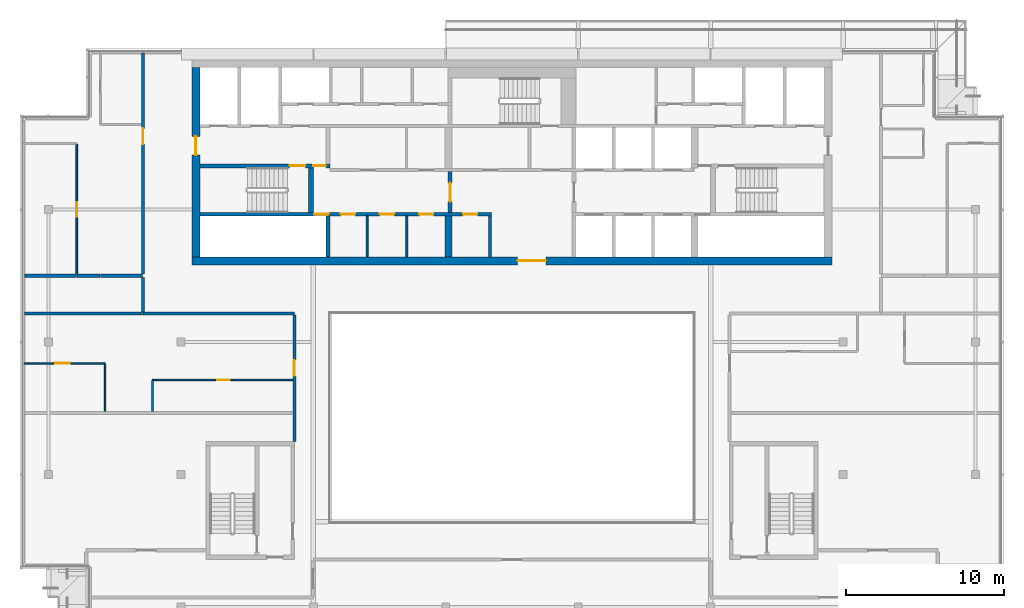
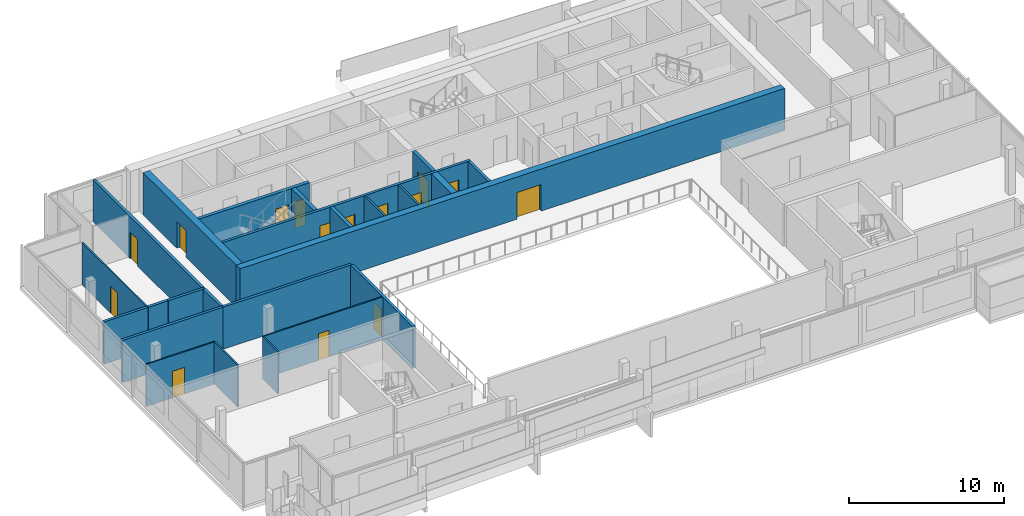
# One storey, part 12 of 22: 24 walls, 15 doors, 15 openings.
"""IFC4 building model written with IfcOpenShell, lengths in metres."""

from ifc_helpers import new_model, si_unit, direction, frame, frame_2d, origin, place, context, subcontext, project, spatial, rectangle, extrude, material, layer, layer_set, type_object, element, fill, save


model = new_model("IFC4")

# Units and contexts
model_context = context("Model", 3, precision=1e-05, world=origin(), true_north=direction((0.0, 1.0)))
body_context = subcontext(model_context, "Body", "Model", "MODEL_VIEW")
ifc_project = project(units=[si_unit("LENGTHUNIT", "METRE"), si_unit("AREAUNIT", "SQUARE_METRE"), si_unit("VOLUMEUNIT", "CUBIC_METRE"), si_unit("PLANEANGLEUNIT", "RADIAN"), si_unit("MASSUNIT", "GRAM", prefix="KILO")], contexts=[model_context])

# Site, building, storey
site_placement = place(None, origin())
site = spatial("IfcSite", under=ifc_project, at=site_placement, CompositionType="ELEMENT")
building_placement = place(site_placement, origin())
building = spatial("IfcBuilding", under=site, at=building_placement, Name="Saffron Gate Tower", CompositionType="ELEMENT")
storey_placement = place(building_placement, frame((0.0, 0.0, 295.949951171875)))
storey = spatial("IfcBuildingStorey", under=building, at=storey_placement, Name="L72", CompositionType="ELEMENT", Elevation=295.949951171875)

# Wall
ifc_material_1 = material(Name="Gypsum board partition on steel studs", Category="steel")
ifc_layer_1 = layer(ifc_material_1, 0.199951171875)
ifc_layer_set_1 = layer_set([ifc_layer_1], Name="CW10 Core partition 200")
wall_type_1 = type_object("IfcWallType", Name="CW10 Core partition 200", PredefinedType="PARTITIONING", material=ifc_layer_set_1)
wall_1_placement = place(storey_placement, frame((86.199951171875, 62.39990234375, 0.0), z_axis=(0.0, 0.0, 1.0), x_axis=(0.0, 1.0, 0.0)))
element("IfcWall", 1, at=wall_1_placement, inside=storey, type_object=wall_type_1, Name="Wall CW10-L72-9", PredefinedType="PARTITIONING", context=body_context, shape_type="SweptSolid", body=[
    extrude(rectangle(XDim=2.60009765625, YDim=0.199951171875, at=frame_2d((1.300048828125, 0.0))), origin(), (0.0, 0.0, 1.0), 3.320068359375),
])

# Wall, opening, door
ifc_material_2 = material(Name="Concrete C50", Category="concrete")
ifc_layer_2 = layer(ifc_material_2, 0.5)
ifc_layer_set_2 = layer_set([ifc_layer_2], Name="CW22 RC core wall 500 C50")
wall_type_2 = type_object("IfcWallType", Name="CW22 RC core wall 500 C50", PredefinedType="SOLIDWALL", material=ifc_layer_set_2)
wall_2_placement = place(storey_placement, frame((67.300048828125, 62.14990234375, 0.0), z_axis=(0.0, 0.0, 1.0), x_axis=(1.0, 0.0, 0.0)))
wall_2 = element("IfcWall", 2, at=wall_2_placement, inside=storey, type_object=wall_type_2, Name="Wall CW22-L72-1", PredefinedType="SOLIDWALL", context=body_context, shape_type="SweptSolid", body=[
    extrude(rectangle(XDim=40.599853515625, YDim=0.5, at=frame_2d((20.2998046875, 0.0))), origin(), (0.0, 0.0, 1.0), 3.320068359375),
])
opening_1_placement = place(wall_2_placement, frame((20.64990234375, 0.0, 0.0)))
opening_1 = element("IfcOpeningElement", 3, at=opening_1_placement, cuts=wall_2, Name="Opening CR-09", PredefinedType="OPENING", context=body_context, shape_type="SweptSolid", body=[
    extrude(rectangle(XDim=1.800048828125, YDim=2.10009765625, at=frame_2d((0.89990234375, 1.050048828125))), frame((0.0, 0.260009765625, 0.0), z_axis=(0.0, -1.0, 0.0), x_axis=(1.0, 0.0, 0.0)), (0.0, 0.0, 1.0), 0.52001953125),
])
ifc_material_3 = material(Name="Steel fire door set", Category="steel")
door_type_1 = type_object("IfcDoorType", Name="CD1 Core entrance door 1800x2100 EI 120", OperationType="NOTDEFINED", PredefinedType="DOOR", material=ifc_material_3)
door_1_placement = place(opening_1_placement, origin())
door_1 = element("IfcDoor", 4, at=door_1_placement, inside=storey, type_object=door_type_1, Name="DOOR CR-09", OperationType="DOUBLE_DOOR_SINGLE_SWING", OverallHeight=2.10009765625, OverallWidth=1.800048828125, PredefinedType="DOOR", context=body_context, shape_type="SweptSolid", body=[
    extrude(rectangle(XDim=1.800048828125, YDim=2.10009765625, at=frame_2d((0.89990234375, 1.050048828125))), frame((0.0, 0.02490234375, 0.0), z_axis=(0.0, -1.0, 0.0), x_axis=(1.0, 0.0, 0.0)), (0.0, 0.0, 1.0), 0.050048828125),
])
fill(opening_1, door_1)

wall_3_placement = place(storey_placement, frame((67.550048828125, 62.39990234375, 0.0), z_axis=(0.0, 0.0, 1.0), x_axis=(0.0, 1.0, 0.0)))
wall_3 = element("IfcWall", 5, at=wall_3_placement, inside=storey, type_object=wall_type_2, Name="Wall CW22-L72-3", PredefinedType="SOLIDWALL", context=body_context, shape_type="SweptSolid", body=[
    extrude(rectangle(XDim=12.0, YDim=0.5, at=frame_2d((6.0, 0.0))), origin(), (0.0, 0.0, 1.0), 3.320068359375),
])
opening_2_placement = place(wall_3_placement, frame((6.449951171875, 0.0, 0.0)))
opening_2 = element("IfcOpeningElement", 6, at=opening_2_placement, cuts=wall_3, Name="Opening CR-10", PredefinedType="OPENING", context=body_context, shape_type="SweptSolid", body=[
    extrude(rectangle(XDim=1.199951171875, YDim=2.10009765625, at=frame_2d((0.60009765625, 1.050048828125))), frame((0.0, 0.260009765625, 0.0), z_axis=(0.0, -1.0, 0.0), x_axis=(1.0, 0.0, 0.0)), (0.0, 0.0, 1.0), 0.52001953125),
])
door_type_2 = type_object("IfcDoorType", Name="CD7 Core entrance door 1200x2100 EI 120", OperationType="NOTDEFINED", PredefinedType="DOOR", material=ifc_material_3)
door_2_placement = place(opening_2_placement, origin())
door_2 = element("IfcDoor", 7, at=door_2_placement, inside=storey, type_object=door_type_2, Name="DOOR CR-10", OperationType="SINGLE_SWING_LEFT", OverallHeight=2.10009765625, OverallWidth=1.199951171875, PredefinedType="DOOR", context=body_context, shape_type="SweptSolid", body=[
    extrude(rectangle(XDim=1.199951171875, YDim=2.10009765625, at=frame_2d((0.60009765625, 1.050048828125))), frame((0.0, 0.02490234375, 0.0), z_axis=(0.0, -1.0, 0.0), x_axis=(1.0, 0.0, 0.0)), (0.0, 0.0, 1.0), 0.050048828125),
])
fill(opening_2, door_2)

# Wall
ifc_layer_3 = layer(ifc_material_2, 0.25)
ifc_layer_set_3 = layer_set([ifc_layer_3], Name="CW23 RC core wall 250 C50")
wall_type_3 = type_object("IfcWallType", Name="CW23 RC core wall 250 C50", PredefinedType="SOLIDWALL", material=ifc_layer_set_3)
wall_4_placement = place(storey_placement, frame((75.925048828125, 62.39990234375, 0.0), z_axis=(0.0, 0.0, 1.0), x_axis=(0.0, 1.0, 0.0)))
element("IfcWall", 8, at=wall_4_placement, inside=storey, type_object=wall_type_3, Name="Wall CW23-L72-5", PredefinedType="SOLIDWALL", context=body_context, shape_type="SweptSolid", body=[
    extrude(rectangle(XDim=2.60009765625, YDim=0.25, at=frame_2d((1.300048828125, 0.0))), origin(), (0.0, 0.0, 1.0), 3.320068359375),
])

# Wall, opening, door
wall_5_placement = place(storey_placement, frame((83.675048828125, 65.199951171875, 0.0), z_axis=(0.0, 0.0, 1.0), x_axis=(0.0, 1.0, 0.0)))
wall_5 = element("IfcWall", 9, at=wall_5_placement, inside=storey, type_object=wall_type_3, Name="Wall CW23-L72-17", PredefinedType="SOLIDWALL", context=body_context, shape_type="SweptSolid", body=[
    extrude(rectangle(XDim=2.60009765625, YDim=0.25, at=frame_2d((1.300048828125, 0.0))), origin(), (0.0, 0.0, 1.0), 3.320068359375),
])
opening_3_placement = place(wall_5_placement, frame((0.699951171875, 0.0, 0.0)))
opening_3 = element("IfcOpeningElement", 10, at=opening_3_placement, cuts=wall_5, Name="Opening CR-07", PredefinedType="OPENING", context=body_context, shape_type="SweptSolid", body=[
    extrude(rectangle(XDim=1.199951171875, YDim=2.10009765625, at=frame_2d((0.60009765625, 1.050048828125))), frame((0.0, 0.135009765625, 0.0), z_axis=(0.0, -1.0, 0.0), x_axis=(1.0, 0.0, 0.0)), (0.0, 0.0, 1.0), 0.27001953125),
])
door_type_3 = type_object("IfcDoorType", Name="CD3 Lobby door 1200x2100 EI 120", OperationType="NOTDEFINED", PredefinedType="DOOR", material=ifc_material_3)
door_3_placement = place(opening_3_placement, origin())
door_3 = element("IfcDoor", 11, at=door_3_placement, inside=storey, type_object=door_type_3, Name="DOOR CR-07", OperationType="SINGLE_SWING_RIGHT", OverallHeight=2.10009765625, OverallWidth=1.199951171875, PredefinedType="DOOR", context=body_context, shape_type="SweptSolid", body=[
    extrude(rectangle(XDim=1.199951171875, YDim=2.10009765625, at=frame_2d((0.60009765625, 1.050048828125))), frame((0.0, 0.02490234375, 0.0), z_axis=(0.0, -1.0, 0.0), x_axis=(1.0, 0.0, 0.0)), (0.0, 0.0, 1.0), 0.050048828125),
])
fill(opening_3, door_3)

# Wall, openings, doors
wall_6_placement = place(storey_placement, frame((67.800048828125, 68.175048828125, 0.0), z_axis=(0.0, 0.0, 1.0), x_axis=(1.0, 0.0, 0.0)))
wall_6 = element("IfcWall", 12, at=wall_6_placement, inside=storey, type_object=wall_type_3, Name="Wall CW23-L72-28", PredefinedType="SOLIDWALL", context=body_context, shape_type="SweptSolid", body=[
    extrude(rectangle(XDim=8.25, YDim=0.25, at=frame_2d((4.125, 0.0))), origin(), (0.0, 0.0, 1.0), 3.320068359375),
])
opening_4_placement = place(wall_6_placement, frame((5.699951171875, 0.0, 0.0)))
opening_4 = element("IfcOpeningElement", 13, at=opening_4_placement, cuts=wall_6, Name="Opening CR-15", PredefinedType="OPENING", context=body_context, shape_type="SweptSolid", body=[
    extrude(rectangle(XDim=1.0, YDim=2.10009765625, at=frame_2d((0.5, 1.050048828125))), frame((0.0, 0.135009765625, 0.0), z_axis=(0.0, -1.0, 0.0), x_axis=(1.0, 0.0, 0.0)), (0.0, 0.0, 1.0), 0.27001953125),
])
opening_5_placement = place(wall_6_placement, frame((7.199951171875, 0.0, 0.0)))
opening_5 = element("IfcOpeningElement", 14, at=opening_5_placement, cuts=wall_6, Name="Opening CR-06", PredefinedType="OPENING", context=body_context, shape_type="SweptSolid", body=[
    extrude(rectangle(XDim=0.800048828125, YDim=2.10009765625, at=frame_2d((0.39990234375, 1.050048828125))), frame((0.0, 0.135009765625, 0.0), z_axis=(0.0, -1.0, 0.0), x_axis=(1.0, 0.0, 0.0)), (0.0, 0.0, 1.0), 0.27001953125),
])
door_type_4 = type_object("IfcDoorType", Name="CD5 Stair door 1000x2100 EI 120", OperationType="NOTDEFINED", PredefinedType="DOOR", material=ifc_material_3)
door_4_placement = place(opening_4_placement, origin())
door_4 = element("IfcDoor", 15, at=door_4_placement, inside=storey, type_object=door_type_4, Name="DOOR CR-15", OperationType="SINGLE_SWING_RIGHT", OverallHeight=2.10009765625, OverallWidth=1.0, PredefinedType="DOOR", context=body_context, shape_type="SweptSolid", body=[
    extrude(rectangle(XDim=1.0, YDim=2.10009765625, at=frame_2d((0.5, 1.050048828125))), frame((0.0, 0.02490234375, 0.0), z_axis=(0.0, -1.0, 0.0), x_axis=(1.0, 0.0, 0.0)), (0.0, 0.0, 1.0), 0.050048828125),
])
fill(opening_4, door_4)
door_type_5 = type_object("IfcDoorType", Name="CD6 Lobby door 800x2100 EI 120", OperationType="NOTDEFINED", PredefinedType="DOOR", material=ifc_material_3)
door_5_placement = place(opening_5_placement, origin())
door_5 = element("IfcDoor", 16, at=door_5_placement, inside=storey, type_object=door_type_5, Name="DOOR CR-06", OperationType="SINGLE_SWING_LEFT", OverallHeight=2.10009765625, OverallWidth=0.800048828125, PredefinedType="DOOR", context=body_context, shape_type="SweptSolid", body=[
    extrude(rectangle(XDim=0.800048828125, YDim=2.10009765625, at=frame_2d((0.39990234375, 1.050048828125))), frame((0.0, 0.02490234375, 0.0), z_axis=(0.0, -1.0, 0.0), x_axis=(1.0, 0.0, 0.0)), (0.0, 0.0, 1.0), 0.050048828125),
])
fill(opening_5, door_5)

# Wall
ifc_layer_4 = layer(ifc_material_2, 0.449951171875)
ifc_layer_set_4 = layer_set([ifc_layer_4], Name="CW24 RC core wall 450 C50")
wall_type_4 = type_object("IfcWallType", Name="CW24 RC core wall 450 C50", PredefinedType="SOLIDWALL", material=ifc_layer_set_4)
wall_7_placement = place(storey_placement, frame((83.574951171875, 62.39990234375, 0.0), z_axis=(0.0, 0.0, 1.0), x_axis=(0.0, 1.0, 0.0)))
element("IfcWall", 17, at=wall_7_placement, inside=storey, type_object=wall_type_4, Name="Wall CW24-L72-8", PredefinedType="SOLIDWALL", context=body_context, shape_type="SweptSolid", body=[
    extrude(rectangle(XDim=2.60009765625, YDim=0.449951171875, at=frame_2d((1.300048828125, 0.0))), origin(), (0.0, 0.0, 1.0), 3.320068359375),
])

# Wall, openings, doors
ifc_layer_5 = layer(ifc_material_2, 0.199951171875)
ifc_layer_set_5 = layer_set([ifc_layer_5], Name="CW25 RC core wall 200 C50")
wall_type_5 = type_object("IfcWallType", Name="CW25 RC core wall 200 C50", PredefinedType="SOLIDWALL", material=ifc_layer_set_5)
wall_8_placement = place(storey_placement, frame((67.800048828125, 65.10009765625, 0.0), z_axis=(0.0, 0.0, 1.0), x_axis=(1.0, 0.0, 0.0)))
wall_8 = element("IfcWall", 18, at=wall_8_placement, inside=storey, type_object=wall_type_5, Name="Wall CW25-L72-14", PredefinedType="SOLIDWALL", context=body_context, shape_type="SweptSolid", body=[
    extrude(rectangle(XDim=18.5, YDim=0.199951171875, at=frame_2d((9.25, 0.0))), origin(), (0.0, 0.0, 1.0), 3.320068359375),
])
opening_6_placement = place(wall_8_placement, frame((7.27001953125, 0.0, 0.0)))
opening_6 = element("IfcOpeningElement", 19, at=opening_6_placement, cuts=wall_8, Name="Opening CR-49", PredefinedType="OPENING", context=body_context, shape_type="SweptSolid", body=[
    extrude(rectangle(XDim=0.89990234375, YDim=2.10009765625, at=frame_2d((0.449951171875, 1.050048828125))), frame((0.0, 0.10986328125, 0.0), z_axis=(0.0, -1.0, 0.0), x_axis=(1.0, 0.0, 0.0)), (0.0, 0.0, 1.0), 0.219970703125),
])
opening_7_placement = place(wall_8_placement, frame((8.949951171875, 0.0, 0.0)))
opening_7 = element("IfcOpeningElement", 20, at=opening_7_placement, cuts=wall_8, Name="Opening CR-64", PredefinedType="OPENING", context=body_context, shape_type="SweptSolid", body=[
    extrude(rectangle(XDim=0.89990234375, YDim=2.10009765625, at=frame_2d((0.449951171875, 1.050048828125))), frame((0.0, 0.10986328125, 0.0), z_axis=(0.0, -1.0, 0.0), x_axis=(1.0, 0.0, 0.0)), (0.0, 0.0, 1.0), 0.219970703125),
])
opening_8_placement = place(wall_8_placement, frame((11.419921875, 0.0, 0.0)))
opening_8 = element("IfcOpeningElement", 21, at=opening_8_placement, cuts=wall_8, Name="Opening CR-65", PredefinedType="OPENING", context=body_context, shape_type="SweptSolid", body=[
    extrude(rectangle(XDim=0.89990234375, YDim=2.10009765625, at=frame_2d((0.449951171875, 1.050048828125))), frame((0.0, 0.10986328125, 0.0), z_axis=(0.0, -1.0, 0.0), x_axis=(1.0, 0.0, 0.0)), (0.0, 0.0, 1.0), 0.219970703125),
])
opening_9_placement = place(wall_8_placement, frame((13.919921875, 0.0, 0.0)))
opening_9 = element("IfcOpeningElement", 22, at=opening_9_placement, cuts=wall_8, Name="Opening CR-66", PredefinedType="OPENING", context=body_context, shape_type="SweptSolid", body=[
    extrude(rectangle(XDim=0.89990234375, YDim=2.10009765625, at=frame_2d((0.449951171875, 1.050048828125))), frame((0.0, 0.10986328125, 0.0), z_axis=(0.0, -1.0, 0.0), x_axis=(1.0, 0.0, 0.0)), (0.0, 0.0, 1.0), 0.219970703125),
])
opening_10_placement = place(wall_8_placement, frame((16.699951171875, 0.0, 0.0)))
opening_10 = element("IfcOpeningElement", 23, at=opening_10_placement, cuts=wall_8, Name="Opening CR-69", PredefinedType="OPENING", context=body_context, shape_type="SweptSolid", body=[
    extrude(rectangle(XDim=0.89990234375, YDim=2.10009765625, at=frame_2d((0.449951171875, 1.050048828125))), frame((0.0, 0.10986328125, 0.0), z_axis=(0.0, -1.0, 0.0), x_axis=(1.0, 0.0, 0.0)), (0.0, 0.0, 1.0), 0.219970703125),
])
door_type_6 = type_object("IfcDoorType", Name="CD2 Riser door 900x2100 EI 60", OperationType="NOTDEFINED", PredefinedType="DOOR", material=ifc_material_3)
door_6_placement = place(opening_6_placement, origin())
door_6 = element("IfcDoor", 24, at=door_6_placement, inside=storey, type_object=door_type_6, Name="DOOR CR-49", OperationType="SINGLE_SWING_LEFT", OverallHeight=2.10009765625, OverallWidth=0.89990234375, PredefinedType="DOOR", context=body_context, shape_type="SweptSolid", body=[
    extrude(rectangle(XDim=0.89990234375, YDim=2.10009765625, at=frame_2d((0.449951171875, 1.050048828125))), frame((0.0, 0.02490234375, 0.0), z_axis=(0.0, -1.0, 0.0), x_axis=(1.0, 0.0, 0.0)), (0.0, 0.0, 1.0), 0.050048828125),
])
fill(opening_6, door_6)
door_type_7 = type_object("IfcDoorType", Name="CD9 Room door 900x2100 EI 60", OperationType="NOTDEFINED", PredefinedType="DOOR", material=ifc_material_3)
door_7_placement = place(opening_7_placement, origin())
door_7 = element("IfcDoor", 25, at=door_7_placement, inside=storey, type_object=door_type_7, Name="DOOR CR-64", OperationType="SINGLE_SWING_RIGHT", OverallHeight=2.10009765625, OverallWidth=0.89990234375, PredefinedType="DOOR", context=body_context, shape_type="SweptSolid", body=[
    extrude(rectangle(XDim=0.89990234375, YDim=2.10009765625, at=frame_2d((0.449951171875, 1.050048828125))), frame((0.0, 0.02490234375, 0.0), z_axis=(0.0, -1.0, 0.0), x_axis=(1.0, 0.0, 0.0)), (0.0, 0.0, 1.0), 0.050048828125),
])
fill(opening_7, door_7)
door_8_placement = place(opening_8_placement, origin())
door_8 = element("IfcDoor", 26, at=door_8_placement, inside=storey, type_object=door_type_7, Name="DOOR CR-65", OperationType="SINGLE_SWING_RIGHT", OverallHeight=2.10009765625, OverallWidth=0.89990234375, PredefinedType="DOOR", context=body_context, shape_type="SweptSolid", body=[
    extrude(rectangle(XDim=0.89990234375, YDim=2.10009765625, at=frame_2d((0.449951171875, 1.050048828125))), frame((0.0, 0.02490234375, 0.0), z_axis=(0.0, -1.0, 0.0), x_axis=(1.0, 0.0, 0.0)), (0.0, 0.0, 1.0), 0.050048828125),
])
fill(opening_8, door_8)
door_9_placement = place(opening_9_placement, origin())
door_9 = element("IfcDoor", 27, at=door_9_placement, inside=storey, type_object=door_type_7, Name="DOOR CR-66", OperationType="SINGLE_SWING_RIGHT", OverallHeight=2.10009765625, OverallWidth=0.89990234375, PredefinedType="DOOR", context=body_context, shape_type="SweptSolid", body=[
    extrude(rectangle(XDim=0.89990234375, YDim=2.10009765625, at=frame_2d((0.449951171875, 1.050048828125))), frame((0.0, 0.02490234375, 0.0), z_axis=(0.0, -1.0, 0.0), x_axis=(1.0, 0.0, 0.0)), (0.0, 0.0, 1.0), 0.050048828125),
])
fill(opening_9, door_9)
door_10_placement = place(opening_10_placement, origin())
door_10 = element("IfcDoor", 28, at=door_10_placement, inside=storey, type_object=door_type_7, Name="DOOR CR-69", OperationType="SINGLE_SWING_RIGHT", OverallHeight=2.10009765625, OverallWidth=0.89990234375, PredefinedType="DOOR", context=body_context, shape_type="SweptSolid", body=[
    extrude(rectangle(XDim=0.89990234375, YDim=2.10009765625, at=frame_2d((0.449951171875, 1.050048828125))), frame((0.0, 0.02490234375, 0.0), z_axis=(0.0, -1.0, 0.0), x_axis=(1.0, 0.0, 0.0)), (0.0, 0.0, 1.0), 0.050048828125),
])
fill(opening_10, door_10)

# Walls
ifc_layer_6 = layer(ifc_material_2, 0.300048828125)
ifc_layer_set_6 = layer_set([ifc_layer_6], Name="CW26 RC core wall 300 C50")
wall_type_6 = type_object("IfcWallType", Name="CW26 RC core wall 300 C50", PredefinedType="SOLIDWALL", material=ifc_layer_set_6)
wall_9_placement = place(storey_placement, frame((74.85009765625, 65.199951171875, 0.0), z_axis=(0.0, 0.0, 1.0), x_axis=(0.0, 1.0, 0.0)))
element("IfcWall", 29, at=wall_9_placement, inside=storey, type_object=wall_type_6, Name="Wall CW26-L72-16", PredefinedType="SOLIDWALL", context=body_context, shape_type="SweptSolid", body=[
    extrude(rectangle(XDim=2.85009765625, YDim=0.300048828125, at=frame_2d((1.425048828125, 0.0))), origin(), (0.0, 0.0, 1.0), 3.320068359375),
])
ifc_layer_7 = layer(ifc_material_1, 0.1201171875)
ifc_layer_set_7 = layer_set([ifc_layer_7], Name="CW8 Core partition 120")
wall_type_7 = type_object("IfcWallType", Name="CW8 Core partition 120", PredefinedType="PARTITIONING", material=ifc_layer_set_7)
for number, where, z_axis, x_axis, name in (
    (30, (78.409912109375, 62.39990234375, 0.0), (0.0, 0.0, 1.0), (0.0, 1.0, 0.0), "Wall CW8-L72-6"),
    (31, (80.929931640625, 62.39990234375, 0.0), (0.0, 0.0, 1.0), (0.0, 1.0, 0.0), "Wall CW8-L72-7"),
):
    element("IfcWall", number, at=place(storey_placement, frame(where, z_axis=z_axis, x_axis=x_axis)), inside=storey, type_object=wall_type_7, Name=name, PredefinedType="PARTITIONING", context=body_context, shape_type="SweptSolid", body=[
        extrude(rectangle(XDim=2.60009765625, YDim=0.1201171875, at=frame_2d((1.300048828125, 0.0))), origin(), (0.0, 0.0, 1.0), 3.320068359375),
    ])

# Wall, opening, door
ifc_material_4 = material(Name="Plasterboard on steel studs", Category="steel")
ifc_layer_8 = layer(ifc_material_4, 0.10009765625)
ifc_layer_set_8 = layer_set([ifc_layer_8], Name="PW1 Partition 100")
wall_type_8 = type_object("IfcWallType", Name="PW1 Partition 100", PredefinedType="PARTITIONING", material=ifc_layer_set_8)
wall_10_placement = place(storey_placement, frame((73.699951171875, 54.60009765625, 0.0), z_axis=(0.0, 0.0, 1.0), x_axis=(-1.0, 0.0, 0.0)))
wall_10 = element("IfcWall", 32, at=wall_10_placement, inside=storey, type_object=wall_type_8, Name="Partition E5-8", PredefinedType="PARTITIONING", context=body_context, shape_type="SweptSolid", body=[
    extrude(rectangle(XDim=8.89990234375, YDim=0.10009765625, at=frame_2d((4.449951171875, 0.0))), origin(), (0.0, 0.0, 1.0), 3.320068359375),
])
opening_11_placement = place(wall_10_placement, frame((4.0, 0.0, 0.0)))
opening_11 = element("IfcOpeningElement", 33, at=opening_11_placement, cuts=wall_10, Name="Opening E5-10", PredefinedType="OPENING", context=body_context, shape_type="SweptSolid", body=[
    extrude(rectangle(XDim=0.800048828125, YDim=2.10009765625, at=frame_2d((0.39990234375, 1.050048828125))), frame((0.0, 0.06005859375, 0.0), z_axis=(0.0, -1.0, 0.0), x_axis=(1.0, 0.0, 0.0)), (0.0, 0.0, 1.0), 0.1201171875),
])
ifc_material_5 = material(Name="Timber door set", Category="wood")
door_type_8 = type_object("IfcDoorType", Name="RD2 Bathroom door 800x2100", OperationType="NOTDEFINED", PredefinedType="DOOR", material=ifc_material_5)
door_11_placement = place(opening_11_placement, origin())
door_11 = element("IfcDoor", 34, at=door_11_placement, inside=storey, type_object=door_type_8, Name="Door E5-10", OperationType="SINGLE_SWING_LEFT", OverallHeight=2.10009765625, OverallWidth=0.800048828125, PredefinedType="DOOR", context=body_context, shape_type="SweptSolid", body=[
    extrude(rectangle(XDim=0.800048828125, YDim=2.10009765625, at=frame_2d((0.39990234375, 1.050048828125))), frame((0.0, 0.02490234375, 0.0), z_axis=(0.0, -1.0, 0.0), x_axis=(1.0, 0.0, 0.0)), (0.0, 0.0, 1.0), 0.050048828125),
])
fill(opening_11, door_11)

wall_11_placement = place(storey_placement, frame((61.800048828125, 55.64990234375, 0.0), z_axis=(0.0, 0.0, 1.0), x_axis=(-1.0, 0.0, 0.0)))
wall_11 = element("IfcWall", 35, at=wall_11_placement, inside=storey, type_object=wall_type_8, Name="Partition E5-9", PredefinedType="PARTITIONING", context=body_context, shape_type="SweptSolid", body=[
    extrude(rectangle(XDim=5.1201171875, YDim=0.10009765625, at=frame_2d((2.56005859375, 0.0))), origin(), (0.0, 0.0, 1.0), 3.320068359375),
])
opening_12_placement = place(wall_11_placement, frame((2.25, 0.0, 0.0)))
opening_12 = element("IfcOpeningElement", 36, at=opening_12_placement, cuts=wall_11, Name="Opening E5-5", PredefinedType="OPENING", context=body_context, shape_type="SweptSolid", body=[
    extrude(rectangle(XDim=0.89990234375, YDim=2.10009765625, at=frame_2d((0.449951171875, 1.050048828125))), frame((0.0, 0.06005859375, 0.0), z_axis=(0.0, -1.0, 0.0), x_axis=(1.0, 0.0, 0.0)), (0.0, 0.0, 1.0), 0.1201171875),
])
door_type_9 = type_object("IfcDoorType", Name="RD1 Room door 900x2100", OperationType="NOTDEFINED", PredefinedType="DOOR", material=ifc_material_5)
door_12_placement = place(opening_12_placement, origin())
door_12 = element("IfcDoor", 37, at=door_12_placement, inside=storey, type_object=door_type_9, Name="Door E5-5", OperationType="SINGLE_SWING_RIGHT", OverallHeight=2.10009765625, OverallWidth=0.89990234375, PredefinedType="DOOR", context=body_context, shape_type="SweptSolid", body=[
    extrude(rectangle(XDim=0.89990234375, YDim=2.10009765625, at=frame_2d((0.449951171875, 1.050048828125))), frame((0.0, 0.02490234375, 0.0), z_axis=(0.0, -1.0, 0.0), x_axis=(1.0, 0.0, 0.0)), (0.0, 0.0, 1.0), 0.050048828125),
])
fill(opening_12, door_12)

wall_12_placement = place(storey_placement, frame((60.0, 61.300048828125, 0.0), z_axis=(0.0, 0.0, 1.0), x_axis=(0.0, 1.0, 0.0)))
wall_12 = element("IfcWall", 38, at=wall_12_placement, inside=storey, type_object=wall_type_8, Name="Partition E5-29", PredefinedType="PARTITIONING", context=body_context, shape_type="SweptSolid", body=[
    extrude(rectangle(XDim=8.25, YDim=0.10009765625, at=frame_2d((4.125, 0.0))), origin(), (0.0, 0.0, 1.0), 3.320068359375),
])
opening_13_placement = place(wall_12_placement, frame((3.64990234375, 0.0, 0.0)))
opening_13 = element("IfcOpeningElement", 39, at=opening_13_placement, cuts=wall_12, Name="Opening E5-6", PredefinedType="OPENING", context=body_context, shape_type="SweptSolid", body=[
    extrude(rectangle(XDim=0.89990234375, YDim=2.10009765625, at=frame_2d((0.449951171875, 1.050048828125))), frame((0.0, 0.06005859375, 0.0), z_axis=(0.0, -1.0, 0.0), x_axis=(1.0, 0.0, 0.0)), (0.0, 0.0, 1.0), 0.1201171875),
])
door_13_placement = place(opening_13_placement, origin())
door_13 = element("IfcDoor", 40, at=door_13_placement, inside=storey, type_object=door_type_9, Name="Door E5-6", OperationType="SINGLE_SWING_LEFT", OverallHeight=2.10009765625, OverallWidth=0.89990234375, PredefinedType="DOOR", context=body_context, shape_type="SweptSolid", body=[
    extrude(rectangle(XDim=0.89990234375, YDim=2.10009765625, at=frame_2d((0.449951171875, 1.050048828125))), frame((0.0, 0.02490234375, 0.0), z_axis=(0.0, -1.0, 0.0), x_axis=(1.0, 0.0, 0.0)), (0.0, 0.0, 1.0), 0.050048828125),
])
fill(opening_13, door_13)

# Walls
wall_13_placement = place(storey_placement, frame((61.800048828125, 55.60009765625, 0.0), z_axis=(0.0, 0.0, 1.0), x_axis=(0.0, -1.0, 0.0)))
element("IfcWall", 41, at=wall_13_placement, inside=storey, type_object=wall_type_8, Name="Partition E5-32", PredefinedType="PARTITIONING", context=body_context, shape_type="SweptSolid", body=[
    extrude(rectangle(XDim=3.0, YDim=0.10009765625, at=frame_2d((1.5, 0.0))), origin(), (0.0, 0.0, 1.0), 3.320068359375),
])
wall_14_placement = place(storey_placement, frame((64.800048828125, 54.550048828125, 0.0), z_axis=(0.0, 0.0, 1.0), x_axis=(0.0, -1.0, 0.0)))
element("IfcWall", 42, at=wall_14_placement, inside=storey, type_object=wall_type_8, Name="Partition E5-35", PredefinedType="PARTITIONING", context=body_context, shape_type="SweptSolid", body=[
    extrude(rectangle(XDim=1.949951171875, YDim=0.10009765625, at=frame_2d((0.97509765625, 0.0))), origin(), (0.0, 0.0, 1.0), 3.320068359375),
])
ifc_material_6 = material(Name="Clay brick masonry, rendered", Category="masonry")
ifc_layer_9 = layer(ifc_material_6, 0.199951171875)
ifc_layer_set_9 = layer_set([ifc_layer_9], Name="PW3 Corridor wall 200")
wall_type_9 = type_object("IfcWallType", Name="PW3 Corridor wall 200", PredefinedType="PARTITIONING", material=ifc_layer_set_9)
wall_15_placement = place(storey_placement, frame((64.199951171875, 58.800048828125, 0.0), z_axis=(0.0, 0.0, 1.0), x_axis=(1.0, 0.0, 0.0)))
element("IfcWall", 43, at=wall_15_placement, inside=storey, type_object=wall_type_9, Name="Wall E5-12", PredefinedType="PARTITIONING", context=body_context, shape_type="SweptSolid", body=[
    extrude(rectangle(XDim=9.60009765625, YDim=0.199951171875, at=frame_2d((4.800048828125, 0.0))), origin(), (0.0, 0.0, 1.0), 3.320068359375),
])

# Wall, opening, door
wall_16_placement = place(storey_placement, frame((64.199951171875, 61.300048828125, 0.0), z_axis=(0.0, 0.0, 1.0), x_axis=(0.0, 1.0, 0.0)))
wall_16 = element("IfcWall", 44, at=wall_16_placement, inside=storey, type_object=wall_type_9, Name="Wall E5-33", PredefinedType="PARTITIONING", context=body_context, shape_type="SweptSolid", body=[
    extrude(rectangle(XDim=14.02001953125, YDim=0.199951171875, at=frame_2d((7.010009765625, 0.0))), origin(), (0.0, 0.0, 1.0), 3.320068359375),
])
opening_14_placement = place(wall_16_placement, frame((8.25, 0.0, 0.0)))
opening_14 = element("IfcOpeningElement", 45, at=opening_14_placement, cuts=wall_16, Name="Opening E5-2", PredefinedType="OPENING", context=body_context, shape_type="SweptSolid", body=[
    extrude(rectangle(XDim=1.0, YDim=2.10009765625, at=frame_2d((0.5, 1.050048828125))), frame((0.0, 0.10986328125, 0.0), z_axis=(0.0, -1.0, 0.0), x_axis=(1.0, 0.0, 0.0)), (0.0, 0.0, 1.0), 0.219970703125),
])
ifc_material_7 = material(Name="Timber fire door set", Category="wood")
door_type_10 = type_object("IfcDoorType", Name="FD1 Flat entry door 1000x2100", OperationType="NOTDEFINED", PredefinedType="DOOR", material=ifc_material_7)
door_14_placement = place(opening_14_placement, origin())
door_14 = element("IfcDoor", 46, at=door_14_placement, inside=storey, type_object=door_type_10, Name="Door E5-2", OperationType="SINGLE_SWING_LEFT", OverallHeight=2.10009765625, OverallWidth=1.0, PredefinedType="DOOR", context=body_context, shape_type="SweptSolid", body=[
    extrude(rectangle(XDim=1.0, YDim=2.10009765625, at=frame_2d((0.5, 1.050048828125))), frame((0.0, 0.02490234375, 0.0), z_axis=(0.0, -1.0, 0.0), x_axis=(1.0, 0.0, 0.0)), (0.0, 0.0, 1.0), 0.050048828125),
])
fill(opening_14, door_14)

wall_17_placement = place(storey_placement, frame((73.800048828125, 50.699951171875, 0.0), z_axis=(0.0, 0.0, 1.0), x_axis=(0.0, 1.0, 0.0)))
wall_17 = element("IfcWall", 47, at=wall_17_placement, inside=storey, type_object=wall_type_9, Name="Wall E5-36", PredefinedType="PARTITIONING", context=body_context, shape_type="SweptSolid", body=[
    extrude(rectangle(XDim=8.0, YDim=0.199951171875, at=frame_2d((4.0, 0.0))), origin(), (0.0, 0.0, 1.0), 3.320068359375),
])
opening_15_placement = place(wall_17_placement, frame((4.14990234375, 0.0, 0.0)))
opening_15 = element("IfcOpeningElement", 48, at=opening_15_placement, cuts=wall_17, Name="Opening E5-1", PredefinedType="OPENING", context=body_context, shape_type="SweptSolid", body=[
    extrude(rectangle(XDim=1.0, YDim=2.10009765625, at=frame_2d((0.5, 1.050048828125))), frame((0.0, 0.10986328125, 0.0), z_axis=(0.0, -1.0, 0.0), x_axis=(1.0, 0.0, 0.0)), (0.0, 0.0, 1.0), 0.219970703125),
])
door_15_placement = place(opening_15_placement, origin())
door_15 = element("IfcDoor", 49, at=door_15_placement, inside=storey, type_object=door_type_10, Name="Door E5-1", OperationType="SINGLE_SWING_RIGHT", OverallHeight=2.10009765625, OverallWidth=1.0, PredefinedType="DOOR", context=body_context, shape_type="SweptSolid", body=[
    extrude(rectangle(XDim=1.0, YDim=2.10009765625, at=frame_2d((0.5, 1.050048828125))), frame((0.0, 0.02490234375, 0.0), z_axis=(0.0, -1.0, 0.0), x_axis=(1.0, 0.0, 0.0)), (0.0, 0.0, 1.0), 0.050048828125),
])
fill(opening_15, door_15)

# Walls
ifc_layer_10 = layer(ifc_material_6, 0.199951171875)
ifc_layer_set_10 = layer_set([ifc_layer_10], Name="PW5 Room wall 200")
wall_type_10 = type_object("IfcWallType", Name="PW5 Room wall 200", PredefinedType="PARTITIONING", material=ifc_layer_set_10)
wall_18_placement = place(storey_placement, frame((56.699951171875, 58.800048828125, 0.0), z_axis=(0.0, 0.0, 1.0), x_axis=(1.0, 0.0, 0.0)))
element("IfcWall", 50, at=wall_18_placement, inside=storey, type_object=wall_type_10, Name="Wall E5-14", PredefinedType="PARTITIONING", context=body_context, shape_type="SweptSolid", body=[
    extrude(rectangle(XDim=7.47998046875, YDim=0.199951171875, at=frame_2d((3.739990234375, 0.0))), origin(), (0.0, 0.0, 1.0), 3.320068359375),
])
wall_19_placement = place(storey_placement, frame((56.699951171875, 61.199951171875, 0.0), z_axis=(0.0, 0.0, 1.0), x_axis=(1.0, 0.0, 0.0)))
element("IfcWall", 51, at=wall_19_placement, inside=storey, type_object=wall_type_10, Name="Wall E5-17", PredefinedType="PARTITIONING", context=body_context, shape_type="SweptSolid", body=[
    extrude(rectangle(XDim=3.280029296875, YDim=0.199951171875, at=frame_2d((1.64013671875, 0.0))), origin(), (0.0, 0.0, 1.0), 3.320068359375),
])
wall_20_placement = place(storey_placement, frame((60.02001953125, 61.199951171875, 0.0), z_axis=(0.0, 0.0, 1.0), x_axis=(1.0, 0.0, 0.0)))
element("IfcWall", 52, at=wall_20_placement, inside=storey, type_object=wall_type_10, Name="Wall E5-18", PredefinedType="PARTITIONING", context=body_context, shape_type="SweptSolid", body=[
    extrude(rectangle(XDim=1.4599609375, YDim=0.199951171875, at=frame_2d((0.72998046875, 0.0))), origin(), (0.0, 0.0, 1.0), 3.320068359375),
])
wall_21_placement = place(storey_placement, frame((61.52001953125, 61.199951171875, 0.0), z_axis=(0.0, 0.0, 1.0), x_axis=(1.0, 0.0, 0.0)))
element("IfcWall", 53, at=wall_21_placement, inside=storey, type_object=wall_type_10, Name="Wall E5-19", PredefinedType="PARTITIONING", context=body_context, shape_type="SweptSolid", body=[
    extrude(rectangle(XDim=2.659912109375, YDim=0.199951171875, at=frame_2d((1.330078125, 0.0))), origin(), (0.0, 0.0, 1.0), 3.320068359375),
])
wall_22_placement = place(storey_placement, frame((64.199951171875, 61.10009765625, 0.0), z_axis=(0.0, 0.0, 1.0), x_axis=(0.0, -1.0, 0.0)))
element("IfcWall", 54, at=wall_22_placement, inside=storey, type_object=wall_type_10, Name="Wall E5-34", PredefinedType="PARTITIONING", context=body_context, shape_type="SweptSolid", body=[
    extrude(rectangle(XDim=2.2001953125, YDim=0.199951171875, at=frame_2d((1.10009765625, 0.0))), origin(), (0.0, 0.0, 1.0), 3.320068359375),
])

save(model, "model.ifc")
